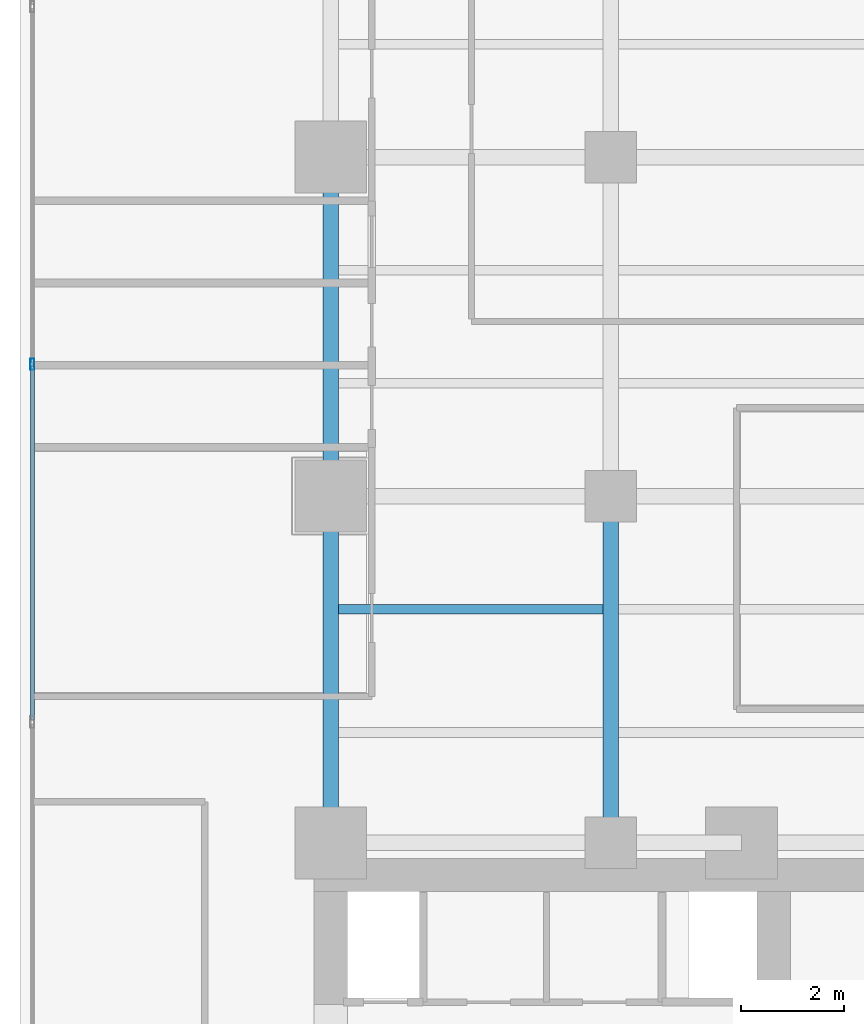
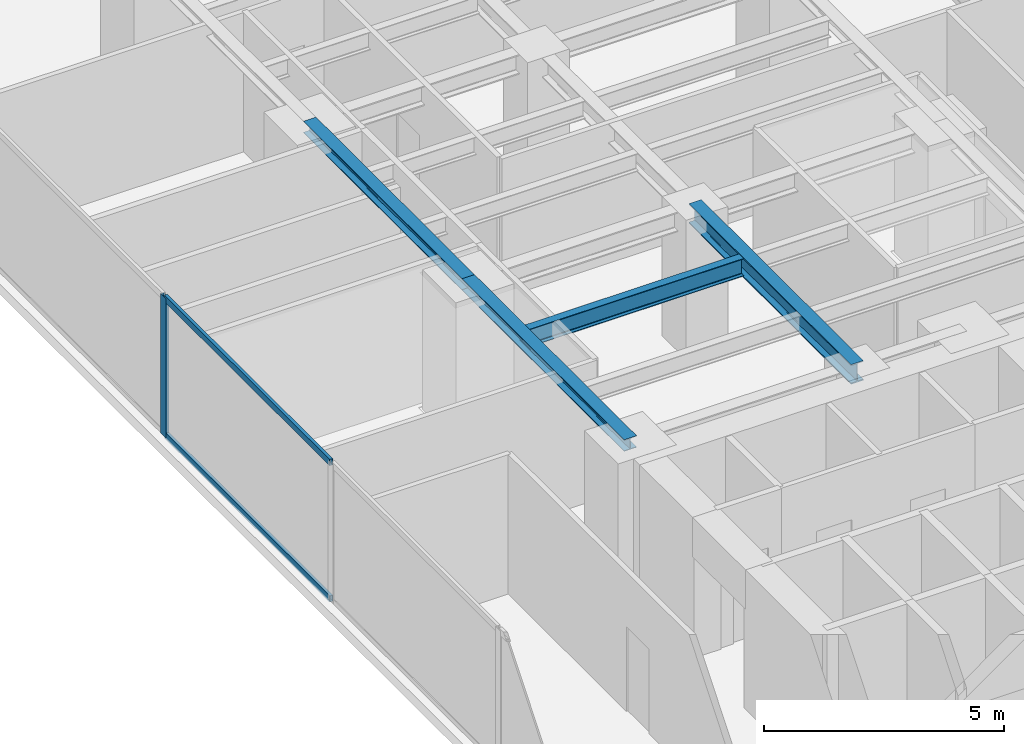
# One storey, part 8 of 29: 4 beams, 3 members, 1 element without a shape of its own.
"""IFC4 building model written with IfcOpenShell, lengths in metres."""

from ifc_helpers import new_model, si_unit, direction, frame, origin, origin_with_axes, origin_2d, place, context, subcontext, project, spatial, hollow_rectangle, i_section, extrude, source, transform, mapped, material, layer, layer_set, material_profile, profile_set, type_object, element, aggregate, save


model = new_model("IFC4")

# Units and contexts
model_context = context("Model", 3, precision=1e-05, world=origin(), true_north=direction((0.0, 1.0)))
body_context = subcontext(model_context, "Body", "Model", "MODEL_VIEW")
ifc_project = project(units=[si_unit("LENGTHUNIT", "METRE"), si_unit("AREAUNIT", "SQUARE_METRE"), si_unit("VOLUMEUNIT", "CUBIC_METRE"), si_unit("PLANEANGLEUNIT", "RADIAN"), si_unit("MASSUNIT", "GRAM", prefix="KILO")], contexts=[model_context])

# Site, building, storey
site_placement = place(None, origin())
site = spatial("IfcSite", under=ifc_project, at=site_placement, CompositionType="ELEMENT")
building_placement = place(site_placement, origin())
building = spatial("IfcBuilding", under=site, at=building_placement, Name="Kolvaren Waterfront Exchange", CompositionType="ELEMENT")
storey_placement = place(building_placement, frame((0.0, 0.0, 129.699951171875)))
storey = spatial("IfcBuildingStorey", under=building, at=storey_placement, Name="L33", CompositionType="ELEMENT", Elevation=129.699951171875)

# Beams
ifc_material_1 = material(Name="Steel S355", Category="steel")
ifc_material_profile_1 = material_profile(ifc_material_1, i_section(OverallWidth=0.300048828125, OverallDepth=0.300048828125, WebThickness=0.010986328125, FlangeThickness=0.01904296875, FilletRadius=0.027099609375, at=origin_2d()), Name="HEB300")
ifc_profile_set_1 = profile_set([ifc_material_profile_1], Name="Steel S355")
beam_type_1 = type_object("IfcBeamType", Name="STR-BM-HEB300", PredefinedType="SPANDREL", material=ifc_profile_set_1)
beam_1_placement = place(storey_placement, frame((7.449951171875, 24.449951171875, 3.39013671875), z_axis=(0.0, 1.0, 0.0), x_axis=(-1.0, 0.0, 0.0)))
element("IfcBeam", 1, at=beam_1_placement, inside=storey, type_object=beam_type_1, Name="L33 north-arm edge beam 1", PredefinedType="SPANDREL", context=body_context, shape_type="SweptSolid", body=[
    extrude(i_section(OverallWidth=0.300048828125, OverallDepth=0.300048828125, WebThickness=0.010986328125, FlangeThickness=0.01904296875, FilletRadius=0.027099609375, at=origin_2d()), origin(), (0.0, 0.0, 1.0), 6.75),
])
beam_2_placement = place(storey_placement, frame((7.449951171875, 31.199951171875, 3.39013671875), z_axis=(0.0, 1.0, 0.0), x_axis=(-1.0, 0.0, 0.0)))
element("IfcBeam", 2, at=beam_2_placement, inside=storey, type_object=beam_type_1, Name="L33 north-arm edge beam 2", PredefinedType="SPANDREL", context=body_context, shape_type="SweptSolid", body=[
    extrude(i_section(OverallWidth=0.300048828125, OverallDepth=0.300048828125, WebThickness=0.010986328125, FlangeThickness=0.01904296875, FilletRadius=0.027099609375, at=origin_2d()), origin(), (0.0, 0.0, 1.0), 6.60009765625),
])
ifc_material_profile_2 = material_profile(ifc_material_1, i_section(OverallWidth=0.300048828125, OverallDepth=0.5, WebThickness=0.014404296875, FlangeThickness=0.028076171875, FilletRadius=0.027099609375, at=origin_2d()), Name="HEB500")
ifc_profile_set_2 = profile_set([ifc_material_profile_2], Name="Steel S355")
beam_type_2 = type_object("IfcBeamType", Name="STR-BM-HEB500", PredefinedType="BEAM", material=ifc_profile_set_2)
beam_3_placement = place(storey_placement, frame((12.89990234375, 24.449951171875, 3.2900390625), z_axis=(0.0, 1.0, 0.0), x_axis=(-1.0, 0.0, 0.0)))
element("IfcBeam", 3, at=beam_3_placement, inside=storey, type_object=beam_type_2, Name="L33 north-arm edge beam 1", PredefinedType="BEAM", context=body_context, shape_type="SweptSolid", body=[
    extrude(i_section(OverallWidth=0.300048828125, OverallDepth=0.5, WebThickness=0.014404296875, FlangeThickness=0.028076171875, FilletRadius=0.027099609375, at=origin_2d()), origin(), (0.0, 0.0, 1.0), 6.75),
])
ifc_material_profile_3 = material_profile(ifc_material_1, i_section(OverallWidth=0.18994140625, OverallDepth=0.449951171875, WebThickness=0.009521484375, FlangeThickness=0.0146484375, FilletRadius=0.02099609375, at=origin_2d()), Name="IPE450")
ifc_profile_set_3 = profile_set([ifc_material_profile_3], Name="Steel S355")
beam_type_3 = type_object("IfcBeamType", Name="STR-BM-IPE450", PredefinedType="JOIST", material=ifc_profile_set_3)
beam_4_placement = place(storey_placement, frame((7.60205078125, 29.0, 3.31494140625), z_axis=(1.0, 0.0, 0.0), x_axis=(0.0, 1.0, 0.0)))
element("IfcBeam", 4, at=beam_4_placement, inside=storey, type_object=beam_type_3, Name="L33 north-arm composite joist 2A", PredefinedType="JOIST", context=body_context, shape_type="SweptSolid", body=[
    extrude(i_section(OverallWidth=0.18994140625, OverallDepth=0.449951171875, WebThickness=0.009521484375, FlangeThickness=0.0146484375, FilletRadius=0.02099609375, at=origin_2d()), origin(), (0.0, 0.0, 1.0), 5.14599609375),
])

# Curtain wall, members
ifc_material_2 = material(Name="Anodised aluminium 6063-T6", Category="aluminium")
ifc_layer = layer(ifc_material_2, 0.219970703125, Name="Anodised aluminium 6063-T6")
ifc_layer_set = layer_set([ifc_layer], Name="Anodised aluminium 6063-T6")
curtain_wall_type = type_object("IfcCurtainWallType", Name="ARC-CW-SYS2", PredefinedType="USERDEFINED", material=ifc_layer_set)
curtain_wall_placement = place(storey_placement, origin())
curtain_wall = element("IfcCurtainWall", 5, at=curtain_wall_placement, inside=storey, type_object=curtain_wall_type, Name="L33 stick curtain wall CW2 (CW-L33-W)", ObjectType="STICK CURTAIN WALL", PredefinedType="USERDEFINED")
ifc_material_profile_4 = material_profile(ifc_material_2, hollow_rectangle(XDim=0.080078125, YDim=0.219970703125, WallThickness=0.0048828125, at=origin_2d()), Name="ALU-MUL-220x80x5")
ifc_profile_set_4 = profile_set([ifc_material_profile_4], Name="Anodised aluminium 6063-T6")
member_type_1 = type_object("IfcMemberType", Name="ARC-CWM-220", PredefinedType="MULLION", material=ifc_profile_set_4)
shared_shape_1 = source(origin_with_axes(), body_context, "Body", "SweptSolid", [
    extrude(hollow_rectangle(XDim=0.080078125, YDim=0.219970703125, WallThickness=0.0048828125, at=origin_2d()), origin(), (0.0, 0.0, 1.0), 3.5400390625),
])
member_1_placement = place(storey_placement, frame((1.639892578125, 33.7666015625, 0.0), z_axis=(0.0, 0.0, 1.0), x_axis=(-1.0, 0.0, 0.0)))
member_1 = element("IfcMember", 6, at=member_1_placement, type_object=member_type_1, Name="CW2 mullion 5", PredefinedType="MULLION", context=body_context, shape_type="MappedRepresentation", body=[
    mapped(shared_shape_1, transform((0.0, 0.0, 0.0), x_axis=(1.0, 0.0, 0.0), y_axis=(0.0, 1.0, 0.0), z_axis=(0.0, 0.0, 1.0), scale=1.0)),
])
ifc_material_profile_5 = material_profile(ifc_material_2, hollow_rectangle(XDim=0.074951171875, YDim=0.159912109375, WallThickness=0.00439453125, at=origin_2d()), Name="ALU-TRN-160x75x4.5")
ifc_profile_set_5 = profile_set([ifc_material_profile_5], Name="Anodised aluminium 6063-T6")
member_type_2 = type_object("IfcMemberType", Name="ARC-CWT-160", PredefinedType="USERDEFINED", material=ifc_profile_set_5)
shared_shape_2 = source(origin_with_axes(), body_context, "Body", "SweptSolid", [
    extrude(hollow_rectangle(XDim=0.074951171875, YDim=0.159912109375, WallThickness=0.00439453125, at=origin_2d()), origin(), (0.0, 0.0, 1.0), 6.886474609375),
])
member_2_placement = place(storey_placement, frame((1.639892578125, 26.840087890625, 0.03759765625), z_axis=(0.0, 1.0, 0.0), x_axis=(-1.0, 0.0, 0.0)))
member_2 = element("IfcMember", 7, at=member_2_placement, type_object=member_type_2, Name="CW2 transom 4.1", ObjectType="TRANSOM", PredefinedType="USERDEFINED", context=body_context, shape_type="MappedRepresentation", body=[
    mapped(shared_shape_2, transform((0.0, 0.0, 0.0), x_axis=(1.0, 0.0, 0.0), y_axis=(0.0, 1.0, 0.0), z_axis=(0.0, 0.0, 1.0), scale=1.0)),
])
member_3_placement = place(storey_placement, frame((1.639892578125, 26.840087890625, 3.50244140625), z_axis=(0.0, 1.0, 0.0), x_axis=(-1.0, 0.0, 0.0)))
member_3 = element("IfcMember", 8, at=member_3_placement, type_object=member_type_2, Name="CW2 transom 4.2", ObjectType="TRANSOM", PredefinedType="USERDEFINED", context=body_context, shape_type="MappedRepresentation", body=[
    mapped(shared_shape_2, transform((0.0, 0.0, 0.0), x_axis=(1.0, 0.0, 0.0), y_axis=(0.0, 1.0, 0.0), z_axis=(0.0, 0.0, 1.0), scale=1.0)),
])
aggregate(curtain_wall, [member_1, member_2, member_3])

save(model, "model.ifc")
